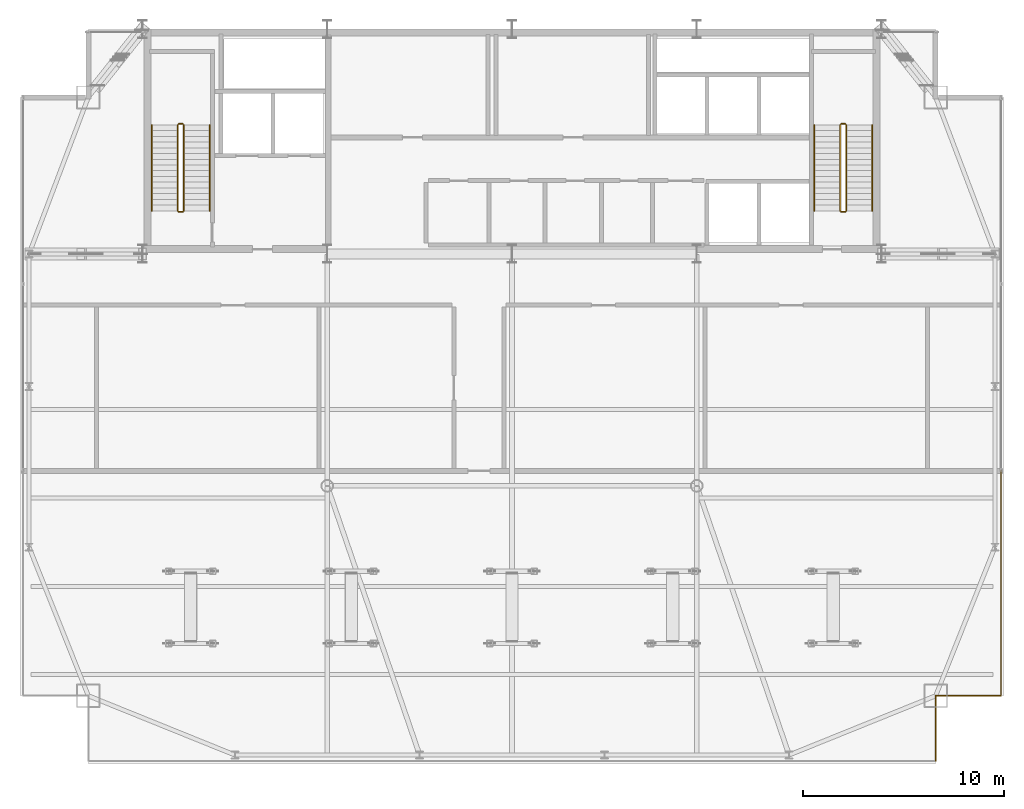
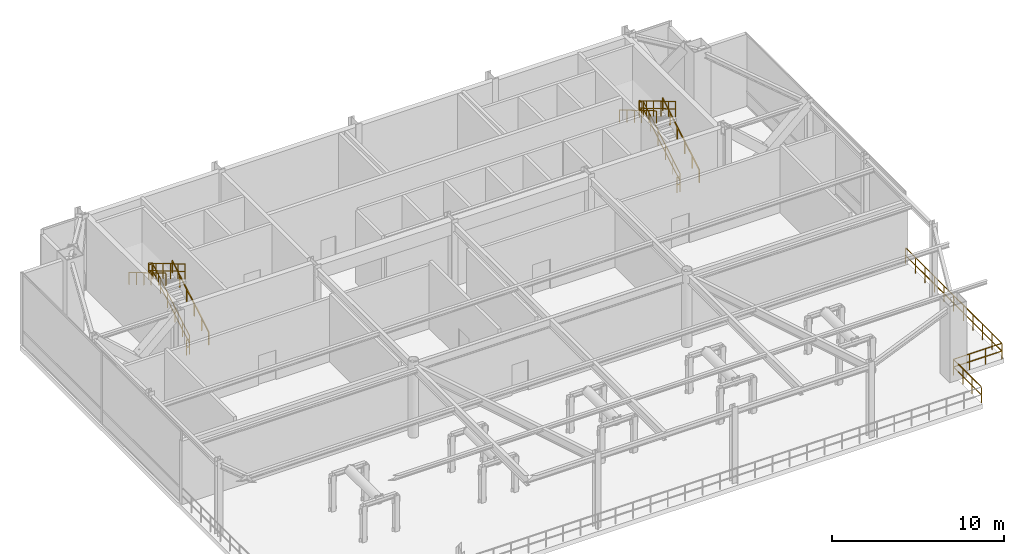
# One storey, part 21 of 21: 15 railings.
"""IFC4 building model written with IfcOpenShell, lengths in metres."""

from ifc_helpers import new_model, si_unit, direction, frame, origin, origin_2d, place, context, subcontext, project, spatial, rectangle, extrude, material, type_object, element, save


model = new_model("IFC4")

# Units and contexts
model_context = context("Model", 3, precision=1e-05, world=origin(), true_north=direction((0.0, 1.0)))
body_context = subcontext(model_context, "Body", "Model", "MODEL_VIEW")
ifc_project = project(units=[si_unit("LENGTHUNIT", "METRE"), si_unit("AREAUNIT", "SQUARE_METRE"), si_unit("VOLUMEUNIT", "CUBIC_METRE"), si_unit("PLANEANGLEUNIT", "RADIAN"), si_unit("MASSUNIT", "GRAM", prefix="KILO")], contexts=[model_context])

# Site, building, storey
site_placement = place(None, origin())
site = spatial("IfcSite", under=ifc_project, at=site_placement, CompositionType="ELEMENT")
building_placement = place(site_placement, origin())
building = spatial("IfcBuilding", under=site, at=building_placement, Name="Varnel Quay Broadcast Tower", CompositionType="ELEMENT")
storey_placement = place(building_placement, frame((0.0, 0.0, 234.0)))
storey = spatial("IfcBuildingStorey", under=building, at=storey_placement, Name="L58", CompositionType="ELEMENT", Elevation=234.0)

# Railings
ifc_material_1 = material(Name="Anodised Bronze Aluminium 6063-T6", Category="aluminium")
railing_type_1 = type_object("IfcRailingType", Name="Rail_Balustrade1150", PredefinedType="BALUSTRADE", material=ifc_material_1)
railing_1_placement = place(storey_placement, frame((55.10009765625, 10.35009765625, 0.0)))
element("IfcRailing", 1, at=railing_1_placement, inside=storey, type_object=railing_type_1, Name="L58 Wind-Turbine Slot Safety Guard Seg 5", PredefinedType="BALUSTRADE", context=body_context, shape_type="SweptSolid", body=[
    extrude(rectangle(XDim=0.048095703125, YDim=0.048095703125, at=origin_2d()), frame((0.0, 0.0, 1.1259765625), z_axis=(0.0, 1.0, 0.0), x_axis=(-1.0, 0.0, 0.0)), (0.0, 0.0, 1.0), 3.25),
    extrude(rectangle(XDim=0.048095703125, YDim=0.048095703125, at=origin_2d()), frame((0.0, 0.0, 0.574951171875), z_axis=(0.0, 1.0, 0.0), x_axis=(-1.0, 0.0, 0.0)), (0.0, 0.0, 1.0), 3.25),
    extrude(rectangle(XDim=0.0419921875, YDim=0.0419921875, at=origin_2d()), origin(), (0.0, 0.0, 1.0), 1.101806640625),
    extrude(rectangle(XDim=0.0419921875, YDim=0.0419921875, at=origin_2d()), frame((0.0, 1.083251953125, 0.0)), (0.0, 0.0, 1.0), 1.101806640625),
    extrude(rectangle(XDim=0.0419921875, YDim=0.0419921875, at=origin_2d()), frame((0.0, 2.166748046875, 0.0)), (0.0, 0.0, 1.0), 1.101806640625),
    extrude(rectangle(XDim=0.0419921875, YDim=0.0419921875, at=origin_2d()), frame((0.0, 3.25, 0.0)), (0.0, 0.0, 1.0), 1.101806640625),
])
railing_2_placement = place(storey_placement, frame((55.10009765625, 13.60009765625, 0.0)))
element("IfcRailing", 2, at=railing_2_placement, inside=storey, type_object=railing_type_1, Name="L58 Wind-Turbine Slot Safety Guard Seg 6", PredefinedType="BALUSTRADE", context=body_context, shape_type="SweptSolid", body=[
    extrude(rectangle(XDim=0.048095703125, YDim=0.048095703125, at=origin_2d()), frame((0.0, 0.0, 1.1259765625), z_axis=(1.0, 0.0, 0.0), x_axis=(0.0, 1.0, 0.0)), (0.0, 0.0, 1.0), 3.25),
    extrude(rectangle(XDim=0.048095703125, YDim=0.048095703125, at=origin_2d()), frame((0.0, 0.0, 0.574951171875), z_axis=(1.0, 0.0, 0.0), x_axis=(0.0, 1.0, 0.0)), (0.0, 0.0, 1.0), 3.25),
    extrude(rectangle(XDim=0.0419921875, YDim=0.0419921875, at=origin_2d()), origin(), (0.0, 0.0, 1.0), 1.101806640625),
    extrude(rectangle(XDim=0.0419921875, YDim=0.0419921875, at=origin_2d()), frame((1.083251953125, 0.0, 0.0)), (0.0, 0.0, 1.0), 1.101806640625),
    extrude(rectangle(XDim=0.0419921875, YDim=0.0419921875, at=origin_2d()), frame((2.166748046875, 0.0, 0.0)), (0.0, 0.0, 1.0), 1.101806640625),
    extrude(rectangle(XDim=0.0419921875, YDim=0.0419921875, at=origin_2d()), frame((3.25, 0.0, 0.0)), (0.0, 0.0, 1.0), 1.101806640625),
])
railing_3_placement = place(storey_placement, frame((58.35009765625, 13.60009765625, 0.0)))
element("IfcRailing", 3, at=railing_3_placement, inside=storey, type_object=railing_type_1, Name="L58 Wind-Turbine Slot Safety Guard Seg 7", PredefinedType="BALUSTRADE", context=body_context, shape_type="SweptSolid", body=[
    extrude(rectangle(XDim=0.048095703125, YDim=0.048095703125, at=origin_2d()), frame((0.0, 0.0, 1.1259765625), z_axis=(0.0, 1.0, 0.0), x_axis=(-1.0, 0.0, 0.0)), (0.0, 0.0, 1.0), 11.199951171875),
    extrude(rectangle(XDim=0.048095703125, YDim=0.048095703125, at=origin_2d()), frame((0.0, 0.0, 0.574951171875), z_axis=(0.0, 1.0, 0.0), x_axis=(-1.0, 0.0, 0.0)), (0.0, 0.0, 1.0), 11.199951171875),
    extrude(rectangle(XDim=0.0419921875, YDim=0.0419921875, at=origin_2d()), origin(), (0.0, 0.0, 1.0), 1.101806640625),
    extrude(rectangle(XDim=0.0419921875, YDim=0.0419921875, at=origin_2d()), frame((0.0, 1.1201171875, 0.0)), (0.0, 0.0, 1.0), 1.101806640625),
    extrude(rectangle(XDim=0.0419921875, YDim=0.0419921875, at=origin_2d()), frame((0.0, 2.239990234375, 0.0)), (0.0, 0.0, 1.0), 1.101806640625),
    extrude(rectangle(XDim=0.0419921875, YDim=0.0419921875, at=origin_2d()), frame((0.0, 3.35986328125, 0.0)), (0.0, 0.0, 1.0), 1.101806640625),
    extrude(rectangle(XDim=0.0419921875, YDim=0.0419921875, at=origin_2d()), frame((0.0, 4.47998046875, 0.0)), (0.0, 0.0, 1.0), 1.101806640625),
    extrude(rectangle(XDim=0.0419921875, YDim=0.0419921875, at=origin_2d()), frame((0.0, 5.60009765625, 0.0)), (0.0, 0.0, 1.0), 1.101806640625),
    extrude(rectangle(XDim=0.0419921875, YDim=0.0419921875, at=origin_2d()), frame((0.0, 6.719970703125, 0.0)), (0.0, 0.0, 1.0), 1.101806640625),
    extrude(rectangle(XDim=0.0419921875, YDim=0.0419921875, at=origin_2d()), frame((0.0, 7.83984375, 0.0)), (0.0, 0.0, 1.0), 1.101806640625),
    extrude(rectangle(XDim=0.0419921875, YDim=0.0419921875, at=origin_2d()), frame((0.0, 8.9599609375, 0.0)), (0.0, 0.0, 1.0), 1.101806640625),
    extrude(rectangle(XDim=0.0419921875, YDim=0.0419921875, at=origin_2d()), frame((0.0, 10.080078125, 0.0)), (0.0, 0.0, 1.0), 1.101806640625),
    extrude(rectangle(XDim=0.0419921875, YDim=0.0419921875, at=origin_2d()), frame((0.0, 11.199951171875, 0.0)), (0.0, 0.0, 1.0), 1.101806640625),
])
ifc_material_2 = material(Name="Painted Steel Guard and Handrail CSA G40.21 350W", Category="steel")
railing_type_2 = type_object("IfcRailingType", Name="Rail_StairGuard1100", PredefinedType="GUARDRAIL", material=ifc_material_2)
railing_4_placement = place(storey_placement, frame((17.64990234375, 37.75, 0.168701171875)))
element("IfcRailing", 4, at=railing_4_placement, inside=storey, type_object=railing_type_2, Name="L58 ST-01 stair guard 1", PredefinedType="GUARDRAIL", context=body_context, shape_type="SweptSolid", body=[
    extrude(rectangle(XDim=0.048095703125, YDim=0.048095703125, at=origin_2d()), frame((0.0, 0.0, 1.076171875), z_axis=(0.0, 0.860470286479, 0.509500624227), x_axis=(-1.0, 0.0, 0.0)), (0.0, 0.0, 1.0), 4.968017578125),
    extrude(rectangle(XDim=0.048095703125, YDim=0.048095703125, at=origin_2d()), frame((0.0, 0.0, 0.550048828125), z_axis=(0.0, 0.860470286479, 0.509500624227), x_axis=(-1.0, 0.0, 0.0)), (0.0, 0.0, 1.0), 4.968017578125),
    extrude(rectangle(XDim=0.0419921875, YDim=0.0419921875, at=origin_2d()), origin(), (0.0, 0.0, 1.0), 1.052001953125),
    extrude(rectangle(XDim=0.0419921875, YDim=0.0419921875, at=origin_2d()), frame((0.0, 0.85498046875, 0.50634765625)), (0.0, 0.0, 1.0), 1.052001953125),
    extrude(rectangle(XDim=0.0419921875, YDim=0.0419921875, at=origin_2d()), frame((0.0, 1.7099609375, 1.012451171875)), (0.0, 0.0, 1.0), 1.052001953125),
    extrude(rectangle(XDim=0.0419921875, YDim=0.0419921875, at=origin_2d()), frame((0.0, 2.56494140625, 1.518798828125)), (0.0, 0.0, 1.0), 1.052001953125),
    extrude(rectangle(XDim=0.0419921875, YDim=0.0419921875, at=origin_2d()), frame((0.0, 3.419921875, 2.02490234375)), (0.0, 0.0, 1.0), 1.052001953125),
    extrude(rectangle(XDim=0.0419921875, YDim=0.0419921875, at=origin_2d()), frame((0.0, 4.27490234375, 2.53125)), (0.0, 0.0, 1.0), 1.052001953125),
])
railing_5_placement = place(storey_placement, frame((17.60009765625, 42.074951171875, 2.699951171875)))
element("IfcRailing", 5, at=railing_5_placement, inside=storey, type_object=railing_type_2, Name="L58 ST-01 stair guard 2", PredefinedType="GUARDRAIL", context=body_context, shape_type="SweptSolid", body=[
    extrude(rectangle(XDim=0.048095703125, YDim=0.048095703125, at=origin_2d()), frame((0.0, 0.0, 1.076171875), z_axis=(-1.0, 0.0, 0.0), x_axis=(0.0, -1.0, 0.0)), (0.0, 0.0, 1.0), 0.2001953125),
    extrude(rectangle(XDim=0.048095703125, YDim=0.048095703125, at=origin_2d()), frame((0.0, 0.0, 0.550048828125), z_axis=(-1.0, 0.0, 0.0), x_axis=(0.0, -1.0, 0.0)), (0.0, 0.0, 1.0), 0.2001953125),
    extrude(rectangle(XDim=0.0419921875, YDim=0.0419921875, at=origin_2d()), origin(), (0.0, 0.0, 1.0), 1.052001953125),
    extrude(rectangle(XDim=0.0419921875, YDim=0.0419921875, at=origin_2d()), frame((-0.2001953125, 0.0, 0.0)), (0.0, 0.0, 1.0), 1.052001953125),
])
railing_6_placement = place(storey_placement, frame((17.35009765625, 42.02490234375, 2.86865234375)))
element("IfcRailing", 6, at=railing_6_placement, inside=storey, type_object=railing_type_2, Name="L58 ST-01 stair guard 3", PredefinedType="GUARDRAIL", context=body_context, shape_type="SweptSolid", body=[
    extrude(rectangle(XDim=0.048095703125, YDim=0.048095703125, at=origin_2d()), frame((0.0, 0.0, 1.076171875), z_axis=(0.0, -0.860470286479, 0.509500624227), x_axis=(1.0, 0.0, 0.0)), (0.0, 0.0, 1.0), 4.968017578125),
    extrude(rectangle(XDim=0.048095703125, YDim=0.048095703125, at=origin_2d()), frame((0.0, 0.0, 0.550048828125), z_axis=(0.0, -0.860470286479, 0.509500624227), x_axis=(1.0, 0.0, 0.0)), (0.0, 0.0, 1.0), 4.968017578125),
    extrude(rectangle(XDim=0.0419921875, YDim=0.0419921875, at=origin_2d()), origin(), (0.0, 0.0, 1.0), 1.052001953125),
    extrude(rectangle(XDim=0.0419921875, YDim=0.0419921875, at=origin_2d()), frame((0.0, -0.85498046875, 0.50634765625)), (0.0, 0.0, 1.0), 1.052001953125),
    extrude(rectangle(XDim=0.0419921875, YDim=0.0419921875, at=origin_2d()), frame((0.0, -1.7099609375, 1.012451171875)), (0.0, 0.0, 1.0), 1.052001953125),
    extrude(rectangle(XDim=0.0419921875, YDim=0.0419921875, at=origin_2d()), frame((0.0, -2.56494140625, 1.518798828125)), (0.0, 0.0, 1.0), 1.052001953125),
    extrude(rectangle(XDim=0.0419921875, YDim=0.0419921875, at=origin_2d()), frame((0.0, -3.419921875, 2.02490234375)), (0.0, 0.0, 1.0), 1.052001953125),
    extrude(rectangle(XDim=0.0419921875, YDim=0.0419921875, at=origin_2d()), frame((0.0, -4.27490234375, 2.53125)), (0.0, 0.0, 1.0), 1.052001953125),
])
railing_7_placement = place(storey_placement, frame((17.60009765625, 37.699951171875, 0.0)))
element("IfcRailing", 7, at=railing_7_placement, inside=storey, type_object=railing_type_2, Name="L58 ST-01 stair guard 4", PredefinedType="GUARDRAIL", context=body_context, shape_type="SweptSolid", body=[
    extrude(rectangle(XDim=0.048095703125, YDim=0.048095703125, at=origin_2d()), frame((0.0, 0.0, 1.076171875), z_axis=(-1.0, 0.0, 0.0), x_axis=(0.0, -1.0, 0.0)), (0.0, 0.0, 1.0), 0.2001953125),
    extrude(rectangle(XDim=0.048095703125, YDim=0.048095703125, at=origin_2d()), frame((0.0, 0.0, 0.550048828125), z_axis=(-1.0, 0.0, 0.0), x_axis=(0.0, -1.0, 0.0)), (0.0, 0.0, 1.0), 0.2001953125),
    extrude(rectangle(XDim=0.0419921875, YDim=0.0419921875, at=origin_2d()), origin(), (0.0, 0.0, 1.0), 1.052001953125),
    extrude(rectangle(XDim=0.0419921875, YDim=0.0419921875, at=origin_2d()), frame((-0.2001953125, 0.0, 0.0)), (0.0, 0.0, 1.0), 1.052001953125),
])
railing_8_placement = place(storey_placement, frame((50.64990234375, 37.75, 0.168701171875)))
element("IfcRailing", 8, at=railing_8_placement, inside=storey, type_object=railing_type_2, Name="L58 ST-02 stair guard 1", PredefinedType="GUARDRAIL", context=body_context, shape_type="SweptSolid", body=[
    extrude(rectangle(XDim=0.048095703125, YDim=0.048095703125, at=origin_2d()), frame((0.0, 0.0, 1.076171875), z_axis=(0.0, 0.860470286479, 0.509500624227), x_axis=(-1.0, 0.0, 0.0)), (0.0, 0.0, 1.0), 4.968017578125),
    extrude(rectangle(XDim=0.048095703125, YDim=0.048095703125, at=origin_2d()), frame((0.0, 0.0, 0.550048828125), z_axis=(0.0, 0.860470286479, 0.509500624227), x_axis=(-1.0, 0.0, 0.0)), (0.0, 0.0, 1.0), 4.968017578125),
    extrude(rectangle(XDim=0.0419921875, YDim=0.0419921875, at=origin_2d()), origin(), (0.0, 0.0, 1.0), 1.052001953125),
    extrude(rectangle(XDim=0.0419921875, YDim=0.0419921875, at=origin_2d()), frame((0.0, 0.85498046875, 0.50634765625)), (0.0, 0.0, 1.0), 1.052001953125),
    extrude(rectangle(XDim=0.0419921875, YDim=0.0419921875, at=origin_2d()), frame((0.0, 1.7099609375, 1.012451171875)), (0.0, 0.0, 1.0), 1.052001953125),
    extrude(rectangle(XDim=0.0419921875, YDim=0.0419921875, at=origin_2d()), frame((0.0, 2.56494140625, 1.518798828125)), (0.0, 0.0, 1.0), 1.052001953125),
    extrude(rectangle(XDim=0.0419921875, YDim=0.0419921875, at=origin_2d()), frame((0.0, 3.419921875, 2.02490234375)), (0.0, 0.0, 1.0), 1.052001953125),
    extrude(rectangle(XDim=0.0419921875, YDim=0.0419921875, at=origin_2d()), frame((0.0, 4.27490234375, 2.53125)), (0.0, 0.0, 1.0), 1.052001953125),
])
railing_9_placement = place(storey_placement, frame((50.60009765625, 42.074951171875, 2.699951171875)))
element("IfcRailing", 9, at=railing_9_placement, inside=storey, type_object=railing_type_2, Name="L58 ST-02 stair guard 2", PredefinedType="GUARDRAIL", context=body_context, shape_type="SweptSolid", body=[
    extrude(rectangle(XDim=0.048095703125, YDim=0.048095703125, at=origin_2d()), frame((0.0, 0.0, 1.076171875), z_axis=(-1.0, 0.0, 0.0), x_axis=(0.0, -1.0, 0.0)), (0.0, 0.0, 1.0), 0.2001953125),
    extrude(rectangle(XDim=0.048095703125, YDim=0.048095703125, at=origin_2d()), frame((0.0, 0.0, 0.550048828125), z_axis=(-1.0, 0.0, 0.0), x_axis=(0.0, -1.0, 0.0)), (0.0, 0.0, 1.0), 0.2001953125),
    extrude(rectangle(XDim=0.0419921875, YDim=0.0419921875, at=origin_2d()), origin(), (0.0, 0.0, 1.0), 1.052001953125),
    extrude(rectangle(XDim=0.0419921875, YDim=0.0419921875, at=origin_2d()), frame((-0.2001953125, 0.0, 0.0)), (0.0, 0.0, 1.0), 1.052001953125),
])
railing_10_placement = place(storey_placement, frame((50.35009765625, 42.02490234375, 2.86865234375)))
element("IfcRailing", 10, at=railing_10_placement, inside=storey, type_object=railing_type_2, Name="L58 ST-02 stair guard 3", PredefinedType="GUARDRAIL", context=body_context, shape_type="SweptSolid", body=[
    extrude(rectangle(XDim=0.048095703125, YDim=0.048095703125, at=origin_2d()), frame((0.0, 0.0, 1.076171875), z_axis=(0.0, -0.860470286479, 0.509500624227), x_axis=(1.0, 0.0, 0.0)), (0.0, 0.0, 1.0), 4.968017578125),
    extrude(rectangle(XDim=0.048095703125, YDim=0.048095703125, at=origin_2d()), frame((0.0, 0.0, 0.550048828125), z_axis=(0.0, -0.860470286479, 0.509500624227), x_axis=(1.0, 0.0, 0.0)), (0.0, 0.0, 1.0), 4.968017578125),
    extrude(rectangle(XDim=0.0419921875, YDim=0.0419921875, at=origin_2d()), origin(), (0.0, 0.0, 1.0), 1.052001953125),
    extrude(rectangle(XDim=0.0419921875, YDim=0.0419921875, at=origin_2d()), frame((0.0, -0.85498046875, 0.50634765625)), (0.0, 0.0, 1.0), 1.052001953125),
    extrude(rectangle(XDim=0.0419921875, YDim=0.0419921875, at=origin_2d()), frame((0.0, -1.7099609375, 1.012451171875)), (0.0, 0.0, 1.0), 1.052001953125),
    extrude(rectangle(XDim=0.0419921875, YDim=0.0419921875, at=origin_2d()), frame((0.0, -2.56494140625, 1.518798828125)), (0.0, 0.0, 1.0), 1.052001953125),
    extrude(rectangle(XDim=0.0419921875, YDim=0.0419921875, at=origin_2d()), frame((0.0, -3.419921875, 2.02490234375)), (0.0, 0.0, 1.0), 1.052001953125),
    extrude(rectangle(XDim=0.0419921875, YDim=0.0419921875, at=origin_2d()), frame((0.0, -4.27490234375, 2.53125)), (0.0, 0.0, 1.0), 1.052001953125),
])
railing_11_placement = place(storey_placement, frame((50.60009765625, 37.699951171875, 0.0)))
element("IfcRailing", 11, at=railing_11_placement, inside=storey, type_object=railing_type_2, Name="L58 ST-02 stair guard 4", PredefinedType="GUARDRAIL", context=body_context, shape_type="SweptSolid", body=[
    extrude(rectangle(XDim=0.048095703125, YDim=0.048095703125, at=origin_2d()), frame((0.0, 0.0, 1.076171875), z_axis=(-1.0, 0.0, 0.0), x_axis=(0.0, -1.0, 0.0)), (0.0, 0.0, 1.0), 0.2001953125),
    extrude(rectangle(XDim=0.048095703125, YDim=0.048095703125, at=origin_2d()), frame((0.0, 0.0, 0.550048828125), z_axis=(-1.0, 0.0, 0.0), x_axis=(0.0, -1.0, 0.0)), (0.0, 0.0, 1.0), 0.2001953125),
    extrude(rectangle(XDim=0.0419921875, YDim=0.0419921875, at=origin_2d()), origin(), (0.0, 0.0, 1.0), 1.052001953125),
    extrude(rectangle(XDim=0.0419921875, YDim=0.0419921875, at=origin_2d()), frame((-0.2001953125, 0.0, 0.0)), (0.0, 0.0, 1.0), 1.052001953125),
])
railing_type_3 = type_object("IfcRailingType", Name="Rail_StairHandrail900", PredefinedType="HANDRAIL", material=ifc_material_2)
railing_12_placement = place(storey_placement, frame((18.949951171875, 37.75, 0.168701171875)))
element("IfcRailing", 12, at=railing_12_placement, inside=storey, type_object=railing_type_3, Name="L58 ST-01 stair handrail 1", PredefinedType="HANDRAIL", context=body_context, shape_type="SweptSolid", body=[
    extrude(rectangle(XDim=0.048095703125, YDim=0.048095703125, at=origin_2d()), frame((0.0, 0.0, 0.8759765625), z_axis=(0.0, 0.860470286479, 0.509500624227), x_axis=(-1.0, 0.0, 0.0)), (0.0, 0.0, 1.0), 4.968017578125),
    extrude(rectangle(XDim=0.0419921875, YDim=0.0419921875, at=origin_2d()), origin(), (0.0, 0.0, 1.0), 0.851806640625),
    extrude(rectangle(XDim=0.0419921875, YDim=0.0419921875, at=origin_2d()), frame((0.0, 0.85498046875, 0.50634765625)), (0.0, 0.0, 1.0), 0.851806640625),
    extrude(rectangle(XDim=0.0419921875, YDim=0.0419921875, at=origin_2d()), frame((0.0, 1.7099609375, 1.012451171875)), (0.0, 0.0, 1.0), 0.851806640625),
    extrude(rectangle(XDim=0.0419921875, YDim=0.0419921875, at=origin_2d()), frame((0.0, 2.56494140625, 1.518798828125)), (0.0, 0.0, 1.0), 0.851806640625),
    extrude(rectangle(XDim=0.0419921875, YDim=0.0419921875, at=origin_2d()), frame((0.0, 3.419921875, 2.02490234375)), (0.0, 0.0, 1.0), 0.851806640625),
    extrude(rectangle(XDim=0.0419921875, YDim=0.0419921875, at=origin_2d()), frame((0.0, 4.27490234375, 2.53125)), (0.0, 0.0, 1.0), 0.851806640625),
])
railing_13_placement = place(storey_placement, frame((16.050048828125, 42.02490234375, 2.86865234375)))
element("IfcRailing", 13, at=railing_13_placement, inside=storey, type_object=railing_type_3, Name="L58 ST-01 stair handrail 2", PredefinedType="HANDRAIL", context=body_context, shape_type="SweptSolid", body=[
    extrude(rectangle(XDim=0.048095703125, YDim=0.048095703125, at=origin_2d()), frame((0.0, 0.0, 0.8759765625), z_axis=(0.0, -0.860470286479, 0.509500624227), x_axis=(1.0, 0.0, 0.0)), (0.0, 0.0, 1.0), 4.968017578125),
    extrude(rectangle(XDim=0.0419921875, YDim=0.0419921875, at=origin_2d()), origin(), (0.0, 0.0, 1.0), 0.851806640625),
    extrude(rectangle(XDim=0.0419921875, YDim=0.0419921875, at=origin_2d()), frame((0.0, -0.85498046875, 0.50634765625)), (0.0, 0.0, 1.0), 0.851806640625),
    extrude(rectangle(XDim=0.0419921875, YDim=0.0419921875, at=origin_2d()), frame((0.0, -1.7099609375, 1.012451171875)), (0.0, 0.0, 1.0), 0.851806640625),
    extrude(rectangle(XDim=0.0419921875, YDim=0.0419921875, at=origin_2d()), frame((0.0, -2.56494140625, 1.518798828125)), (0.0, 0.0, 1.0), 0.851806640625),
    extrude(rectangle(XDim=0.0419921875, YDim=0.0419921875, at=origin_2d()), frame((0.0, -3.419921875, 2.02490234375)), (0.0, 0.0, 1.0), 0.851806640625),
    extrude(rectangle(XDim=0.0419921875, YDim=0.0419921875, at=origin_2d()), frame((0.0, -4.27490234375, 2.53125)), (0.0, 0.0, 1.0), 0.851806640625),
])
railing_14_placement = place(storey_placement, frame((51.949951171875, 37.75, 0.168701171875)))
element("IfcRailing", 14, at=railing_14_placement, inside=storey, type_object=railing_type_3, Name="L58 ST-02 stair handrail 1", PredefinedType="HANDRAIL", context=body_context, shape_type="SweptSolid", body=[
    extrude(rectangle(XDim=0.048095703125, YDim=0.048095703125, at=origin_2d()), frame((0.0, 0.0, 0.8759765625), z_axis=(0.0, 0.860470286479, 0.509500624227), x_axis=(-1.0, 0.0, 0.0)), (0.0, 0.0, 1.0), 4.968017578125),
    extrude(rectangle(XDim=0.0419921875, YDim=0.0419921875, at=origin_2d()), origin(), (0.0, 0.0, 1.0), 0.851806640625),
    extrude(rectangle(XDim=0.0419921875, YDim=0.0419921875, at=origin_2d()), frame((0.0, 0.85498046875, 0.50634765625)), (0.0, 0.0, 1.0), 0.851806640625),
    extrude(rectangle(XDim=0.0419921875, YDim=0.0419921875, at=origin_2d()), frame((0.0, 1.7099609375, 1.012451171875)), (0.0, 0.0, 1.0), 0.851806640625),
    extrude(rectangle(XDim=0.0419921875, YDim=0.0419921875, at=origin_2d()), frame((0.0, 2.56494140625, 1.518798828125)), (0.0, 0.0, 1.0), 0.851806640625),
    extrude(rectangle(XDim=0.0419921875, YDim=0.0419921875, at=origin_2d()), frame((0.0, 3.419921875, 2.02490234375)), (0.0, 0.0, 1.0), 0.851806640625),
    extrude(rectangle(XDim=0.0419921875, YDim=0.0419921875, at=origin_2d()), frame((0.0, 4.27490234375, 2.53125)), (0.0, 0.0, 1.0), 0.851806640625),
])
railing_15_placement = place(storey_placement, frame((49.050048828125, 42.02490234375, 2.86865234375)))
element("IfcRailing", 15, at=railing_15_placement, inside=storey, type_object=railing_type_3, Name="L58 ST-02 stair handrail 2", PredefinedType="HANDRAIL", context=body_context, shape_type="SweptSolid", body=[
    extrude(rectangle(XDim=0.048095703125, YDim=0.048095703125, at=origin_2d()), frame((0.0, 0.0, 0.8759765625), z_axis=(0.0, -0.860470286479, 0.509500624227), x_axis=(1.0, 0.0, 0.0)), (0.0, 0.0, 1.0), 4.968017578125),
    extrude(rectangle(XDim=0.0419921875, YDim=0.0419921875, at=origin_2d()), origin(), (0.0, 0.0, 1.0), 0.851806640625),
    extrude(rectangle(XDim=0.0419921875, YDim=0.0419921875, at=origin_2d()), frame((0.0, -0.85498046875, 0.50634765625)), (0.0, 0.0, 1.0), 0.851806640625),
    extrude(rectangle(XDim=0.0419921875, YDim=0.0419921875, at=origin_2d()), frame((0.0, -1.7099609375, 1.012451171875)), (0.0, 0.0, 1.0), 0.851806640625),
    extrude(rectangle(XDim=0.0419921875, YDim=0.0419921875, at=origin_2d()), frame((0.0, -2.56494140625, 1.518798828125)), (0.0, 0.0, 1.0), 0.851806640625),
    extrude(rectangle(XDim=0.0419921875, YDim=0.0419921875, at=origin_2d()), frame((0.0, -3.419921875, 2.02490234375)), (0.0, 0.0, 1.0), 0.851806640625),
    extrude(rectangle(XDim=0.0419921875, YDim=0.0419921875, at=origin_2d()), frame((0.0, -4.27490234375, 2.53125)), (0.0, 0.0, 1.0), 0.851806640625),
])

save(model, "model.ifc")
